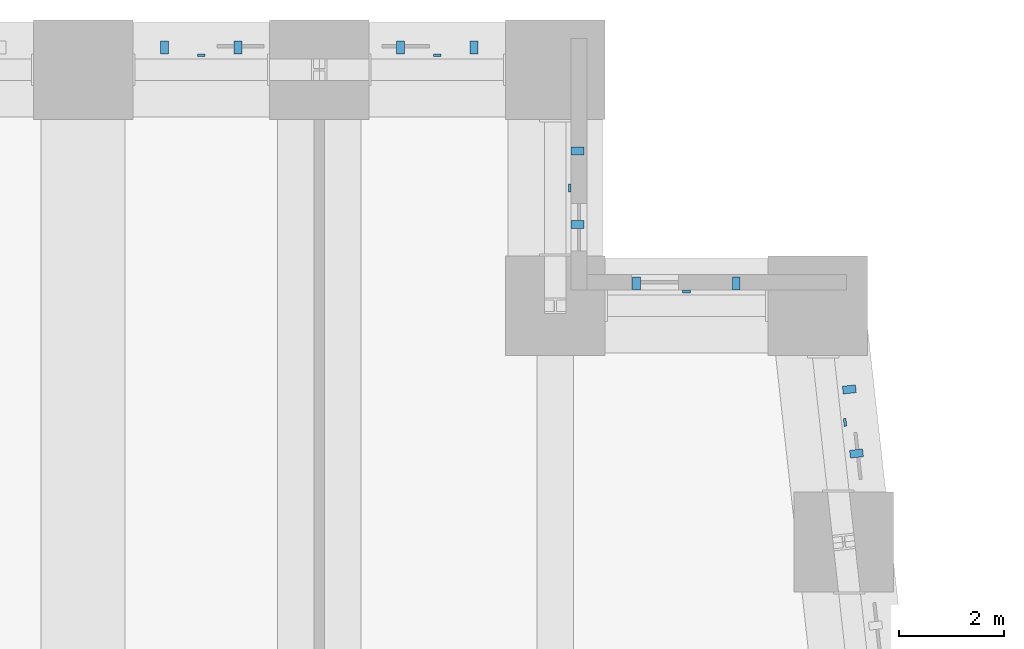
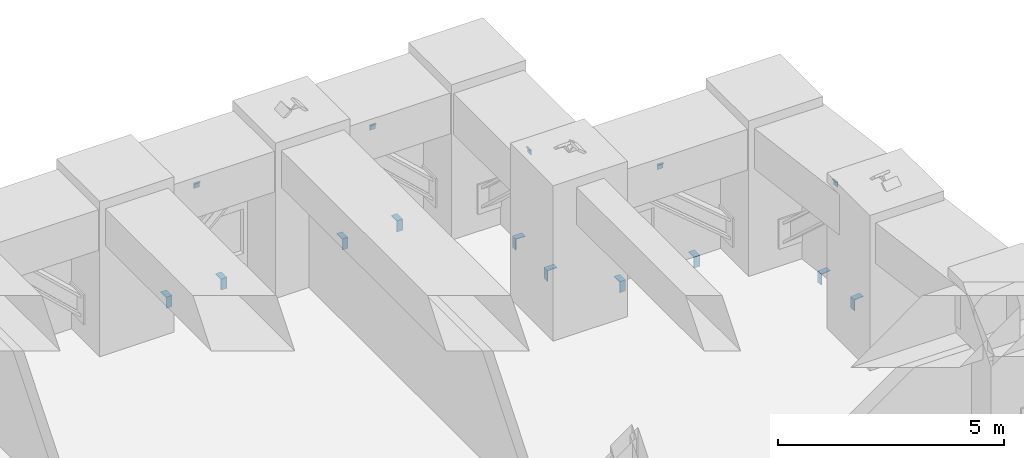
# One storey, part 15 of 16: 15 discrete accessories.
"""IFC4 building model written with IfcOpenShell, lengths in metres."""

from ifc_helpers import new_model, si_unit, direction, frame, origin, place, context, subcontext, project, spatial, polyline, outline, extrude, source, transform, mapped, material, layer, layer_set, type_object, element, save


model = new_model("IFC4")

# Units and contexts
model_context = context("Model", 3, precision=1e-05, world=origin(), true_north=direction((0.0, 1.0)))
body_context = subcontext(model_context, "Body", "Model", "MODEL_VIEW")
ifc_project = project(units=[si_unit("LENGTHUNIT", "METRE"), si_unit("AREAUNIT", "SQUARE_METRE"), si_unit("VOLUMEUNIT", "CUBIC_METRE"), si_unit("PLANEANGLEUNIT", "RADIAN"), si_unit("MASSUNIT", "GRAM", prefix="KILO")], contexts=[model_context])

# Site, building, storey
site_placement = place(None, origin())
site = spatial("IfcSite", under=ifc_project, at=site_placement, CompositionType="ELEMENT")
building_placement = place(site_placement, origin())
building = spatial("IfcBuilding", under=site, at=building_placement, Name="Kilele Tower Hotel", CompositionType="ELEMENT")
storey_placement = place(building_placement, frame((0.0, 0.0, 85.699951171875)))
storey = spatial("IfcBuildingStorey", under=building, at=storey_placement, Name="L21", CompositionType="ELEMENT", Elevation=85.699951171875)

# Discrete accessories
ifc_material_1 = material(Name="Hot-dip galvanized steel S355", Category="steel")
ifc_layer_1 = layer(ifc_material_1, 0.014892578125)
ifc_layer_set_1 = layer_set([ifc_layer_1], Name="Hot-dip galvanized steel S355")
discrete_accessory_type_1 = type_object("IfcDiscreteAccessoryType", Name="Facade panel bearing bracket 250x150x15", PredefinedType="BRACKET", material=ifc_layer_set_1)
shared_shape_1 = source(origin(), body_context, "Body", "SweptSolid", [
    extrude(outline(polyline([(0.0, 0.0), (0.25, 0.0), (0.25, -0.014892578125), (0.014892578125, -0.014892578125), (0.014892578125, -0.300048828125), (0.0, -0.300048828125), (0.0, 0.0)])), origin(), (0.0, 0.0, 1.0), 0.14990234375),
])
for number, where, z_axis, x_axis, name in (
    (1, (46.10791015625, 33.24658203125, 0.0), (0.110432, -0.993884, 0.0), (0.993884, 0.110432, 0.0), "Facade panel bearing bracket L21"),
    (2, (45.971923828125, 34.46875, 0.0), (0.110432, -0.993884, 0.0), (0.993884, 0.110432, 0.0), "Facade panel bearing bracket L21"),
    (3, (43.875, 36.300048828125, 0.0), (1.0, 0.0, 0.0), (0.0, 1.0, 0.0), "Facade panel bearing bracket L21"),
    (4, (41.97509765625, 36.300048828125, 0.0), (1.0, 0.0, 0.0), (0.0, 1.0, 0.0), "Facade panel bearing bracket L21"),
    (5, (40.800048828125, 37.625, 0.0), (0.0, -1.0, 0.0), (1.0, 0.0, 0.0), "Facade panel bearing bracket L21"),
    (6, (40.800048828125, 39.02490234375, 0.0), (0.0, -1.0, 0.0), (1.0, 0.0, 0.0), "Facade panel bearing bracket L21"),
    (7, (38.875, 40.800048828125, 0.0), (1.0, 0.0, 0.0), (0.0, 1.0, 0.0), "Facade panel bearing bracket L21"),
    (8, (37.47509765625, 40.800048828125, 0.0), (1.0, 0.0, 0.0), (0.0, 1.0, 0.0), "Facade panel bearing bracket L21"),
    (9, (34.375, 40.800048828125, 0.0), (1.0, 0.0, 0.0), (0.0, 1.0, 0.0), "Facade panel bearing bracket L21"),
    (10, (32.97509765625, 40.800048828125, 0.0), (1.0, 0.0, 0.0), (0.0, 1.0, 0.0), "Facade panel bearing bracket L21"),
):
    element("IfcDiscreteAccessory", number, at=place(storey_placement, frame(where, z_axis=z_axis, x_axis=x_axis)), inside=storey, type_object=discrete_accessory_type_1, Name=name, PredefinedType="BRACKET", context=body_context, shape_type="MappedRepresentation", body=[
        mapped(shared_shape_1, transform((0.0, 0.0, 0.0))),
    ])
ifc_material_2 = material(Name="Hot-dip galvanized steel S355", Category="steel")
ifc_layer_2 = layer(ifc_material_2, 0.011962890625)
ifc_layer_set_2 = layer_set([ifc_layer_2], Name="Hot-dip galvanized steel S355")
discrete_accessory_type_2 = type_object("IfcDiscreteAccessoryType", Name="Facade panel restraint bracket 150x50x12", PredefinedType="BRACKET", material=ifc_layer_set_2)
shared_shape_2 = source(origin(), body_context, "Body", "SweptSolid", [
    extrude(outline(polyline([(0.0, 0.0), (0.0, -0.14990234375), (-0.011962890625, -0.14990234375), (-0.011962890625, -0.011962890625), (-0.050048828125, -0.011962890625), (-0.050048828125, 0.0), (0.0, 0.0)])), origin(), (0.0, 0.0, 1.0), 0.14990234375),
])
for number, where, z_axis, x_axis, name in (
    (11, (46.039794921875, 33.857666015625, 2.85009765625), (0.110432, -0.993884, 0.0), (0.993884, 0.110432, 0.0), "Facade panel restraint bracket L21"),
    (12, (42.925048828125, 36.300048828125, 2.85009765625), (1.0, 0.0, 0.0), (0.0, 1.0, 0.0), "Facade panel restraint bracket L21"),
    (13, (40.800048828125, 38.324951171875, 2.85009765625), (0.0, -1.0, 0.0), (1.0, 0.0, 0.0), "Facade panel restraint bracket L21"),
    (14, (38.175048828125, 40.800048828125, 2.85009765625), (1.0, 0.0, 0.0), (0.0, 1.0, 0.0), "Facade panel restraint bracket L21"),
    (15, (33.675048828125, 40.800048828125, 2.85009765625), (1.0, 0.0, 0.0), (0.0, 1.0, 0.0), "Facade panel restraint bracket L21"),
):
    element("IfcDiscreteAccessory", number, at=place(storey_placement, frame(where, z_axis=z_axis, x_axis=x_axis)), inside=storey, type_object=discrete_accessory_type_2, Name=name, PredefinedType="BRACKET", context=body_context, shape_type="MappedRepresentation", body=[
        mapped(shared_shape_2, transform((0.0, 0.0, 0.0))),
    ])

save(model, "model.ifc")
